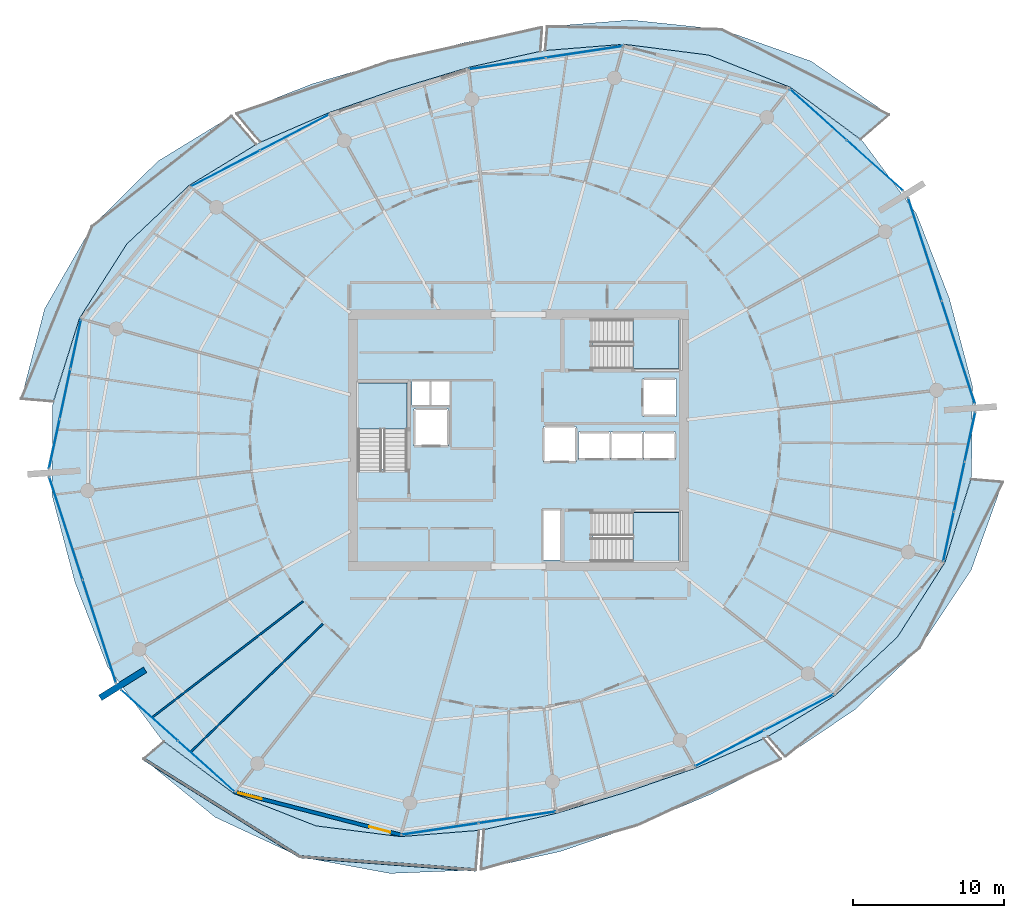
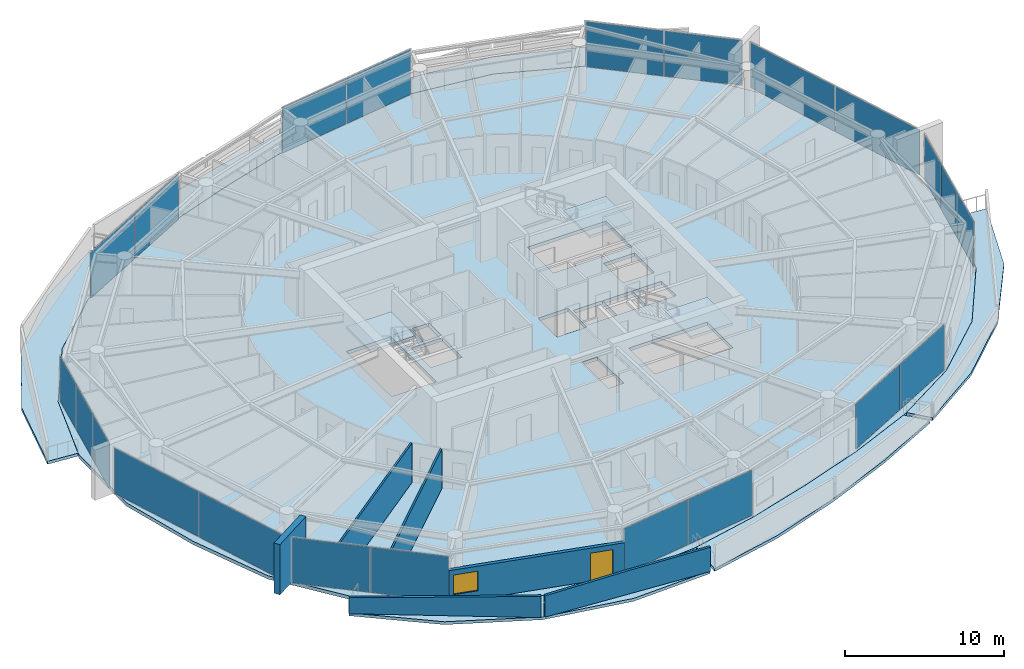
# One storey, part 17 of 30: 22 plates, 10 slabs, 6 walls, 1 door, 1 window, 2 openings, 13 elements without a shape of their own.
"""IFC4 building model written with IfcOpenShell, lengths in metres."""

from ifc_helpers import new_model, si_unit, direction, frame, frame_2d, origin, origin_2d, place, context, subcontext, project, spatial, polyline, rectangle, outline, extrude, material, layer, layer_set, type_object, element, fill, aggregate, save


model = new_model("IFC4")

# Units and contexts
model_context = context("Model", 3, precision=1e-05, world=origin(), true_north=direction((0.0, 1.0)))
body_context = subcontext(model_context, "Body", "Model", "MODEL_VIEW")
ifc_project = project(units=[si_unit("LENGTHUNIT", "METRE"), si_unit("AREAUNIT", "SQUARE_METRE"), si_unit("VOLUMEUNIT", "CUBIC_METRE"), si_unit("PLANEANGLEUNIT", "RADIAN"), si_unit("MASSUNIT", "GRAM", prefix="KILO")], contexts=[model_context])

# Site, building, storey
site_placement = place(None, origin())
site = spatial("IfcSite", under=ifc_project, at=site_placement, CompositionType="ELEMENT")
building_placement = place(site_placement, origin())
building = spatial("IfcBuilding", under=site, at=building_placement, Name="Kazma Halo Residences", CompositionType="ELEMENT")
storey_placement = place(building_placement, frame((0.0, 0.0, 267.5)))
storey = spatial("IfcBuildingStorey", under=building, at=storey_placement, Name="L67", CompositionType="ELEMENT", Elevation=267.5)

# Curtain wall, plates
ifc_material_1 = material(Name="Aluminium AW-6063 T6 and Triple-Silver Low-E Glass", Category="aluminium")
ifc_layer_1 = layer(ifc_material_1, 0.139892578125)
ifc_layer_set_1 = layer_set([ifc_layer_1], Name="Aluminium AW-6063 T6 and Triple-Silver Low-E Glass")
curtain_wall_type = type_object("IfcCurtainWallType", Name="CW-SYS-5", PredefinedType="NOTDEFINED", material=ifc_layer_set_1)
curtain_wall_1_placement = place(storey_placement, origin())
curtain_wall_1 = element("IfcCurtainWall", 1, at=curtain_wall_1_placement, inside=storey, type_object=curtain_wall_type, Name="L67 unitised curtain wall B01", PredefinedType="NOTDEFINED")
ifc_material_2 = material(Name="Clear Triple-Silver Low-E Glass IGU", Category="glass")
ifc_layer_2 = layer(ifc_material_2, 0.02587890625)
ifc_layer_set_2 = layer_set([ifc_layer_2], Name="Clear Triple-Silver Low-E Glass IGU")
plate_type = type_object("IfcPlateType", Name="CW-SYS-5-PNL", PredefinedType="CURTAIN_PANEL", material=ifc_layer_set_2)
plate_1_placement = place(storey_placement, frame((72.002685546875, 60.179443359375, 0.06005859375), z_axis=(0.0, 0.0, 1.0), x_axis=(-0.744336424671, 0.667804826958, 0.0)))
plate_1 = element("IfcPlate", 2, at=plate_1_placement, type_object=plate_type, Name="CWS-5 panel 1.1", PredefinedType="CURTAIN_PANEL", context=body_context, shape_type="SweptSolid", body=[
    extrude(rectangle(XDim=4.993408203125, YDim=0.02587890625, at=origin_2d()), origin(), (0.0, 0.0, 1.0), 3.469970703125),
])
plate_2_placement = place(storey_placement, frame((68.2412109375, 63.55419921875, 0.06005859375), z_axis=(0.0, 0.0, 1.0), x_axis=(-0.744336424671, 0.667804826958, 0.0)))
plate_2 = element("IfcPlate", 3, at=plate_2_placement, type_object=plate_type, Name="CWS-5 panel 2.1", PredefinedType="CURTAIN_PANEL", context=body_context, shape_type="SweptSolid", body=[
    extrude(rectangle(XDim=4.993408203125, YDim=0.02587890625, at=origin_2d()), origin(), (0.0, 0.0, 1.0), 3.469970703125),
])
aggregate(curtain_wall_1, [plate_1, plate_2])

curtain_wall_2_placement = place(storey_placement, origin())
curtain_wall_2 = element("IfcCurtainWall", 4, at=curtain_wall_2_placement, inside=storey, type_object=curtain_wall_type, Name="L67 unitised curtain wall B03", PredefinedType="NOTDEFINED")
plate_3_placement = place(storey_placement, frame((52.77783203125, 67.70361328125, 0.06005859375), z_axis=(0.0, 0.0, 1.0), x_axis=(-0.988882792998, -0.148697080374, 0.0)))
plate_3 = element("IfcPlate", 5, at=plate_3_placement, type_object=plate_type, Name="CWS-5 panel 1.1", PredefinedType="CURTAIN_PANEL", context=body_context, shape_type="SweptSolid", body=[
    extrude(rectangle(XDim=5.099853515625, YDim=0.02587890625, at=origin_2d()), origin(), (0.0, 0.0, 1.0), 3.469970703125),
])
plate_4_placement = place(storey_placement, frame((47.67529296875, 66.936279296875, 0.06005859375), z_axis=(0.0, 0.0, 1.0), x_axis=(-0.988882792998, -0.148697080374, 0.0)))
plate_4 = element("IfcPlate", 6, at=plate_4_placement, type_object=plate_type, Name="CWS-5 panel 2.1", PredefinedType="CURTAIN_PANEL", context=body_context, shape_type="SweptSolid", body=[
    extrude(rectangle(XDim=5.099853515625, YDim=0.02587890625, at=origin_2d()), origin(), (0.0, 0.0, 1.0), 3.469970703125),
])
aggregate(curtain_wall_2, [plate_3, plate_4])

curtain_wall_3_placement = place(storey_placement, origin())
curtain_wall_3 = element("IfcCurtainWall", 7, at=curtain_wall_3_placement, inside=storey, type_object=curtain_wall_type, Name="L67 unitised curtain wall B05", PredefinedType="NOTDEFINED")
plate_5_placement = place(storey_placement, frame((33.60546875, 62.36474609375, 0.06005859375), z_axis=(0.0, 0.0, 1.0), x_axis=(-0.887420518694, -0.460960760804, 0.0)))
plate_5 = element("IfcPlate", 8, at=plate_5_placement, type_object=plate_type, Name="CWS-5 panel 1.1", PredefinedType="CURTAIN_PANEL", context=body_context, shape_type="SweptSolid", body=[
    extrude(rectangle(XDim=5.099609375, YDim=0.02587890625, at=origin_2d()), origin(), (0.0, 0.0, 1.0), 3.469970703125),
])
plate_6_placement = place(storey_placement, frame((29.026611328125, 59.986328125, 0.06005859375), z_axis=(0.0, 0.0, 1.0), x_axis=(-0.887420518694, -0.460960760804, 0.0)))
plate_6 = element("IfcPlate", 9, at=plate_6_placement, type_object=plate_type, Name="CWS-5 panel 2.1", PredefinedType="CURTAIN_PANEL", context=body_context, shape_type="SweptSolid", body=[
    extrude(rectangle(XDim=5.099609375, YDim=0.02587890625, at=origin_2d()), origin(), (0.0, 0.0, 1.0), 3.469970703125),
])
aggregate(curtain_wall_3, [plate_5, plate_6])

curtain_wall_4_placement = place(storey_placement, origin())
curtain_wall_4 = element("IfcCurtainWall", 10, at=curtain_wall_4_placement, inside=storey, type_object=curtain_wall_type, Name="L67 unitised curtain wall B07", PredefinedType="NOTDEFINED")
plate_7_placement = place(storey_placement, frame((19.133056640625, 48.36865234375, 0.06005859375), z_axis=(0.0, 0.0, 1.0), x_axis=(-0.209657382603, -0.97777491373, 0.0)))
plate_7 = element("IfcPlate", 11, at=plate_7_placement, type_object=plate_type, Name="CWS-5 panel 1.1", PredefinedType="CURTAIN_PANEL", context=body_context, shape_type="SweptSolid", body=[
    extrude(rectangle(XDim=3.299072265625, YDim=0.02587890625, at=origin_2d()), origin(), (0.0, 0.0, 1.0), 3.469970703125),
])
plate_8_placement = place(storey_placement, frame((18.42578125, 45.069580078125, 0.06005859375), z_axis=(0.0, 0.0, 1.0), x_axis=(-0.209657382603, -0.97777491373, 0.0)))
plate_8 = element("IfcPlate", 12, at=plate_8_placement, type_object=plate_type, Name="CWS-5 panel 2.1", PredefinedType="CURTAIN_PANEL", context=body_context, shape_type="SweptSolid", body=[
    extrude(rectangle(XDim=3.3291015625, YDim=0.02587890625, at=origin_2d()), origin(), (0.0, 0.0, 1.0), 3.469970703125),
])
plate_9_placement = place(storey_placement, frame((17.71826171875, 41.7705078125, 0.06005859375), z_axis=(0.0, 0.0, 1.0), x_axis=(-0.209657382603, -0.97777491373, 0.0)))
plate_9 = element("IfcPlate", 13, at=plate_9_placement, type_object=plate_type, Name="CWS-5 panel 3.1", PredefinedType="CURTAIN_PANEL", context=body_context, shape_type="SweptSolid", body=[
    extrude(rectangle(XDim=3.299072265625, YDim=0.02587890625, at=origin_2d()), origin(), (0.0, 0.0, 1.0), 3.469970703125),
])
aggregate(curtain_wall_4, [plate_7, plate_8, plate_9])

curtain_wall_5_placement = place(storey_placement, origin())
curtain_wall_5 = element("IfcCurtainWall", 14, at=curtain_wall_5_placement, inside=storey, type_object=curtain_wall_type, Name="L67 unitised curtain wall B08", PredefinedType="NOTDEFINED")
plate_10_placement = place(storey_placement, frame((18.48486328125, 36.1787109375, 0.06005859375), z_axis=(0.0, 0.0, 1.0), x_axis=(0.309010998786, -0.951058464359, 0.0)))
plate_10 = element("IfcPlate", 15, at=plate_10_placement, type_object=plate_type, Name="CWS-5 panel 1.1", PredefinedType="CURTAIN_PANEL", context=body_context, shape_type="SweptSolid", body=[
    extrude(rectangle(XDim=7.108642578125, YDim=0.02587890625, at=origin_2d()), origin(), (0.0, 0.0, 1.0), 3.469970703125),
])
plate_11_placement = place(storey_placement, frame((20.699951171875, 29.36083984375, 0.06005859375), z_axis=(0.0, 0.0, 1.0), x_axis=(0.309010998786, -0.951058464359, 0.0)))
plate_11 = element("IfcPlate", 16, at=plate_11_placement, type_object=plate_type, Name="CWS-5 panel 2.1", PredefinedType="CURTAIN_PANEL", context=body_context, shape_type="SweptSolid", body=[
    extrude(rectangle(XDim=7.108642578125, YDim=0.02587890625, at=origin_2d()), origin(), (0.0, 0.0, 1.0), 3.469970703125),
])
aggregate(curtain_wall_5, [plate_10, plate_11])

curtain_wall_6_placement = place(storey_placement, origin())
curtain_wall_6 = element("IfcCurtainWall", 17, at=curtain_wall_6_placement, inside=storey, type_object=curtain_wall_type, Name="L67 unitised curtain wall B09", PredefinedType="NOTDEFINED")
plate_12_placement = place(storey_placement, frame((23.997314453125, 23.820556640625, 0.06005859375), z_axis=(0.0, 0.0, 1.0), x_axis=(0.744336424671, -0.667804826958, 0.0)))
plate_12 = element("IfcPlate", 18, at=plate_12_placement, type_object=plate_type, Name="CWS-5 panel 1.1", PredefinedType="CURTAIN_PANEL", context=body_context, shape_type="SweptSolid", body=[
    extrude(rectangle(XDim=4.993408203125, YDim=0.02587890625, at=origin_2d()), origin(), (0.0, 0.0, 1.0), 3.469970703125),
])
plate_13_placement = place(storey_placement, frame((27.7587890625, 20.44580078125, 0.06005859375), z_axis=(0.0, 0.0, 1.0), x_axis=(0.744336424671, -0.667804826958, 0.0)))
plate_13 = element("IfcPlate", 19, at=plate_13_placement, type_object=plate_type, Name="CWS-5 panel 2.1", PredefinedType="CURTAIN_PANEL", context=body_context, shape_type="SweptSolid", body=[
    extrude(rectangle(XDim=4.993408203125, YDim=0.02587890625, at=origin_2d()), origin(), (0.0, 0.0, 1.0), 3.469970703125),
])
aggregate(curtain_wall_6, [plate_12, plate_13])

curtain_wall_7_placement = place(storey_placement, origin())
curtain_wall_7 = element("IfcCurtainWall", 20, at=curtain_wall_7_placement, inside=storey, type_object=curtain_wall_type, Name="L67 unitised curtain wall B11", PredefinedType="NOTDEFINED")
plate_14_placement = place(storey_placement, frame((43.22216796875, 16.29638671875, 0.06005859375), z_axis=(0.0, 0.0, 1.0), x_axis=(0.988882792998, 0.148697080374, 0.0)))
plate_14 = element("IfcPlate", 21, at=plate_14_placement, type_object=plate_type, Name="CWS-5 panel 1.1", PredefinedType="CURTAIN_PANEL", context=body_context, shape_type="SweptSolid", body=[
    extrude(rectangle(XDim=5.099853515625, YDim=0.02587890625, at=origin_2d()), origin(), (0.0, 0.0, 1.0), 3.469970703125),
])
plate_15_placement = place(storey_placement, frame((48.32470703125, 17.063720703125, 0.06005859375), z_axis=(0.0, 0.0, 1.0), x_axis=(0.988882792998, 0.148697080374, 0.0)))
plate_15 = element("IfcPlate", 22, at=plate_15_placement, type_object=plate_type, Name="CWS-5 panel 2.1", PredefinedType="CURTAIN_PANEL", context=body_context, shape_type="SweptSolid", body=[
    extrude(rectangle(XDim=5.099853515625, YDim=0.02587890625, at=origin_2d()), origin(), (0.0, 0.0, 1.0), 3.469970703125),
])
aggregate(curtain_wall_7, [plate_14, plate_15])

curtain_wall_8_placement = place(storey_placement, origin())
curtain_wall_8 = element("IfcCurtainWall", 23, at=curtain_wall_8_placement, inside=storey, type_object=curtain_wall_type, Name="L67 unitised curtain wall B13", PredefinedType="NOTDEFINED")
plate_16_placement = place(storey_placement, frame((62.39453125, 21.63525390625, 0.06005859375), z_axis=(0.0, 0.0, 1.0), x_axis=(0.887420518694, 0.460960760804, 0.0)))
plate_16 = element("IfcPlate", 24, at=plate_16_placement, type_object=plate_type, Name="CWS-5 panel 1.1", PredefinedType="CURTAIN_PANEL", context=body_context, shape_type="SweptSolid", body=[
    extrude(rectangle(XDim=5.099609375, YDim=0.02587890625, at=origin_2d()), origin(), (0.0, 0.0, 1.0), 3.469970703125),
])
plate_17_placement = place(storey_placement, frame((66.973388671875, 24.013671875, 0.06005859375), z_axis=(0.0, 0.0, 1.0), x_axis=(0.887420518694, 0.460960760804, 0.0)))
plate_17 = element("IfcPlate", 25, at=plate_17_placement, type_object=plate_type, Name="CWS-5 panel 2.1", PredefinedType="CURTAIN_PANEL", context=body_context, shape_type="SweptSolid", body=[
    extrude(rectangle(XDim=5.099609375, YDim=0.02587890625, at=origin_2d()), origin(), (0.0, 0.0, 1.0), 3.469970703125),
])
aggregate(curtain_wall_8, [plate_16, plate_17])

curtain_wall_9_placement = place(storey_placement, origin())
curtain_wall_9 = element("IfcCurtainWall", 26, at=curtain_wall_9_placement, inside=storey, type_object=curtain_wall_type, Name="L67 unitised curtain wall B15", PredefinedType="NOTDEFINED")
plate_18_placement = place(storey_placement, frame((76.866943359375, 35.63134765625, 0.06005859375), z_axis=(0.0, 0.0, 1.0), x_axis=(0.209657382603, 0.97777491373, 0.0)))
plate_18 = element("IfcPlate", 27, at=plate_18_placement, type_object=plate_type, Name="CWS-5 panel 1.1", PredefinedType="CURTAIN_PANEL", context=body_context, shape_type="SweptSolid", body=[
    extrude(rectangle(XDim=3.299072265625, YDim=0.02587890625, at=origin_2d()), origin(), (0.0, 0.0, 1.0), 3.469970703125),
])
plate_19_placement = place(storey_placement, frame((77.57421875, 38.930419921875, 0.06005859375), z_axis=(0.0, 0.0, 1.0), x_axis=(0.209657382603, 0.97777491373, 0.0)))
plate_19 = element("IfcPlate", 28, at=plate_19_placement, type_object=plate_type, Name="CWS-5 panel 2.1", PredefinedType="CURTAIN_PANEL", context=body_context, shape_type="SweptSolid", body=[
    extrude(rectangle(XDim=3.3291015625, YDim=0.02587890625, at=origin_2d()), origin(), (0.0, 0.0, 1.0), 3.469970703125),
])
plate_20_placement = place(storey_placement, frame((78.28173828125, 42.2294921875, 0.06005859375), z_axis=(0.0, 0.0, 1.0), x_axis=(0.209657382603, 0.97777491373, 0.0)))
plate_20 = element("IfcPlate", 29, at=plate_20_placement, type_object=plate_type, Name="CWS-5 panel 3.1", PredefinedType="CURTAIN_PANEL", context=body_context, shape_type="SweptSolid", body=[
    extrude(rectangle(XDim=3.299072265625, YDim=0.02587890625, at=origin_2d()), origin(), (0.0, 0.0, 1.0), 3.469970703125),
])
aggregate(curtain_wall_9, [plate_18, plate_19, plate_20])

curtain_wall_10_placement = place(storey_placement, origin())
curtain_wall_10 = element("IfcCurtainWall", 30, at=curtain_wall_10_placement, inside=storey, type_object=curtain_wall_type, Name="L67 unitised curtain wall B16", PredefinedType="NOTDEFINED")
plate_21_placement = place(storey_placement, frame((77.51513671875, 47.8212890625, 0.06005859375), z_axis=(0.0, 0.0, 1.0), x_axis=(-0.309010998786, 0.951058464359, 0.0)))
plate_21 = element("IfcPlate", 31, at=plate_21_placement, type_object=plate_type, Name="CWS-5 panel 1.1", PredefinedType="CURTAIN_PANEL", context=body_context, shape_type="SweptSolid", body=[
    extrude(rectangle(XDim=7.108642578125, YDim=0.02587890625, at=origin_2d()), origin(), (0.0, 0.0, 1.0), 3.469970703125),
])
plate_22_placement = place(storey_placement, frame((75.300048828125, 54.63916015625, 0.06005859375), z_axis=(0.0, 0.0, 1.0), x_axis=(-0.309010998786, 0.951058464359, 0.0)))
plate_22 = element("IfcPlate", 32, at=plate_22_placement, type_object=plate_type, Name="CWS-5 panel 2.1", PredefinedType="CURTAIN_PANEL", context=body_context, shape_type="SweptSolid", body=[
    extrude(rectangle(XDim=7.108642578125, YDim=0.02587890625, at=origin_2d()), origin(), (0.0, 0.0, 1.0), 3.469970703125),
])
aggregate(curtain_wall_10, [plate_21, plate_22])

# Slabs
ifc_material_3 = material(Name="White Concrete C50/60", Category="concrete")
ifc_layer_3 = layer(ifc_material_3, 0.219970703125)
ifc_layer_set_3 = layer_set([ifc_layer_3], Name="White Concrete C50/60")
slab_type_1 = type_object("IfcSlabType", Name="SLB-BAL-WAVE-210", PredefinedType="FLOOR", material=ifc_layer_set_3)
slab_1_placement = place(storey_placement, frame((0.0, 0.0, -0.219970703125)))
element("IfcSlab", 33, at=slab_1_placement, inside=storey, type_object=slab_type_1, Name="L67 NE cantilevered wave balcony slab", PredefinedType="FLOOR", context=body_context, shape_type="SweptSolid", body=[
    extrude(outline(polyline([(71.0400390625, 61.9228515625), (66.41357421875, 65.357421875), (60.990478515625, 67.49560546875), (55.3916015625, 68.208984375), (50.188720703125, 67.794189453125), (50.322998046875, 69.37890625), (55.84375, 69.812255859375), (61.852783203125, 69.1875), (67.775146484375, 67.084716796875), (72.91748046875, 63.546142578125), (71.0400390625, 61.9228515625)])), origin(), (0.0, 0.0, 1.0), 0.219970703125),
])
slab_2_placement = place(storey_placement, frame((0.0, 0.0, -0.219970703125)))
element("IfcSlab", 34, at=slab_2_placement, inside=storey, type_object=slab_type_1, Name="L67 NNW cantilevered wave balcony slab", PredefinedType="FLOOR", context=body_context, shape_type="SweptSolid", body=[
    extrude(outline(polyline([(49.8681640625, 67.74609375), (45.080078125, 66.66943359375), (40.43994140625, 65.267333984375), (35.86181640625, 63.67431640625), (31.35546875, 61.731201171875), (29.76513671875, 63.6162109375), (34.787109375, 65.59326171875), (39.853271484375, 67.073486328125), (44.884521484375, 68.323486328125), (49.98291015625, 69.327392578125), (49.8681640625, 67.74609375)])), origin(), (0.0, 0.0, 1.0), 0.219970703125),
])
slab_3_placement = place(storey_placement, frame((0.0, 0.0, -0.219970703125)))
element("IfcSlab", 35, at=slab_3_placement, inside=storey, type_object=slab_type_1, Name="L67 NW cantilevered wave balcony slab", PredefinedType="FLOOR", context=body_context, shape_type="SweptSolid", body=[
    extrude(outline(polyline([(31.06787109375, 61.58154296875), (26.614501953125, 58.85888671875), (22.50439453125, 54.990478515625), (19.3740234375, 50.0732421875), (17.64990234375, 44.5751953125), (15.527099609375, 44.75537109375), (17.076904296875, 50.72119140625), (20.20703125, 56.1611328125), (24.56640625, 60.473388671875), (29.44287109375, 63.4609375), (31.06787109375, 61.58154296875)])), origin(), (0.0, 0.0, 1.0), 0.219970703125),
])
slab_4_placement = place(storey_placement, frame((0.0, 0.0, -0.219970703125)))
element("IfcSlab", 36, at=slab_4_placement, inside=storey, type_object=slab_type_1, Name="L67 SW cantilevered wave balcony slab", PredefinedType="FLOOR", context=body_context, shape_type="SweptSolid", body=[
    extrude(outline(polyline([(24.9599609375, 22.0771484375), (29.58642578125, 18.642578125), (35.009521484375, 16.50439453125), (40.6083984375, 15.791015625), (45.811279296875, 16.205810546875), (45.589111328125, 13.585205078125), (39.92138671875, 13.355712890625), (33.966552734375, 14.4580078125), (28.3505859375, 17.07470703125), (23.628662109375, 20.926025390625), (24.9599609375, 22.0771484375)])), origin(), (0.0, 0.0, 1.0), 0.219970703125),
])
slab_5_placement = place(storey_placement, frame((0.0, 0.0, -0.219970703125)))
element("IfcSlab", 37, at=slab_5_placement, inside=storey, type_object=slab_type_1, Name="L67 SSE cantilevered wave balcony slab", PredefinedType="FLOOR", context=body_context, shape_type="SweptSolid", body=[
    extrude(outline(polyline([(46.1318359375, 16.25390625), (50.919921875, 17.33056640625), (55.56005859375, 18.732666015625), (60.13818359375, 20.32568359375), (64.64453125, 22.268798828125), (65.769287109375, 20.935546875), (61.11376953125, 18.583740234375), (56.269775390625, 16.548095703125), (51.21728515625, 14.817626953125), (45.94189453125, 13.635498046875), (46.1318359375, 16.25390625)])), origin(), (0.0, 0.0, 1.0), 0.219970703125),
])
slab_6_placement = place(storey_placement, frame((0.0, 0.0, -0.219970703125)))
element("IfcSlab", 38, at=slab_6_placement, inside=storey, type_object=slab_type_1, Name="L67 SE cantilevered wave balcony slab", PredefinedType="FLOOR", context=body_context, shape_type="SweptSolid", body=[
    extrude(outline(polyline([(64.93212890625, 22.41845703125), (69.385498046875, 25.14111328125), (73.49560546875, 29.009521484375), (76.6259765625, 33.9267578125), (78.35009765625, 39.4248046875), (80.4541015625, 39.24609375), (78.3671875, 33.435546875), (74.936767578125, 28.27490234375), (70.63232421875, 24.157958984375), (66.0673828125, 21.10546875), (64.93212890625, 22.41845703125)])), origin(), (0.0, 0.0, 1.0), 0.219970703125),
])
ifc_material_4 = material(Name="Concrete C50/60", Category="concrete")
ifc_layer_4 = layer(ifc_material_4, 0.260009765625)
ifc_layer_set_4 = layer_set([ifc_layer_4], Name="Concrete C50/60")
slab_type_2 = type_object("IfcSlabType", Name="SLB-RES-260", PredefinedType="FLOOR", material=ifc_layer_set_4)
slab_7_placement = place(storey_placement, frame((0.0, 0.0, -0.260009765625)))
element("IfcSlab", 39, at=slab_7_placement, inside=storey, type_object=slab_type_2, Name="L67 structural floor slab", PredefinedType="FLOOR", context=body_context, shape_type="SweptSolid", body=[
    extrude(outline(polyline([(76.9189453125, 51.396240234375), (74.749755859375, 56.980712890625), (71.180419921875, 61.7978515625), (66.412109375, 65.355712890625), (60.98974609375, 67.49365234375), (55.39111328125, 68.207275390625), (50.02880859375, 67.7783203125), (45.080322265625, 66.66748046875), (40.440673828125, 65.265380859375), (35.86279296875, 63.672607421875), (31.20654296875, 61.66259765625), (26.6162109375, 58.857666015625), (22.50634765625, 54.98974609375), (19.3759765625, 50.07275390625), (17.60986328125, 44.391845703125), (17.5537109375, 38.396484375), (19.0810546875, 32.603759765625), (21.250244140625, 27.019287109375), (24.819580078125, 22.2021484375), (29.587890625, 18.644287109375), (35.01025390625, 16.50634765625), (40.60888671875, 15.792724609375), (45.97119140625, 16.2216796875), (50.919677734375, 17.33251953125), (55.559326171875, 18.734619140625), (60.13720703125, 20.327392578125), (64.79345703125, 22.33740234375), (69.3837890625, 25.142333984375), (73.49365234375, 29.01025390625), (76.6240234375, 33.92724609375), (78.39013671875, 39.608154296875), (78.4462890625, 45.603515625), (76.9189453125, 51.396240234375)]), holes=[polyline([(37.800048828125, 40.110107421875), (41.050048828125, 40.110107421875), (41.050048828125, 45.800048828125), (37.800048828125, 45.800048828125), (37.800048828125, 40.110107421875)]), polyline([(53.360107421875, 46.75), (59.050048828125, 46.75), (59.050048828125, 50.0), (53.360107421875, 50.0), (53.360107421875, 46.75)]), polyline([(53.360107421875, 34.0), (59.050048828125, 34.0), (59.050048828125, 37.25), (53.360107421875, 37.25), (53.360107421875, 34.0)]), polyline([(41.52001953125, 41.6201171875), (43.780029296875, 41.6201171875), (43.780029296875, 44.080078125), (41.52001953125, 44.080078125), (41.52001953125, 41.6201171875)]), polyline([(56.6201171875, 43.6201171875), (58.8798828125, 43.6201171875), (58.8798828125, 46.080078125), (56.6201171875, 46.080078125), (56.6201171875, 43.6201171875)]), polyline([(52.39501953125, 40.7451171875), (54.5048828125, 40.7451171875), (54.5048828125, 42.554931640625), (52.39501953125, 42.554931640625), (52.39501953125, 40.7451171875)]), polyline([(54.544921875, 40.7451171875), (56.655029296875, 40.7451171875), (56.655029296875, 42.554931640625), (54.544921875, 42.554931640625), (54.544921875, 40.7451171875)]), polyline([(56.695068359375, 40.7451171875), (58.804931640625, 40.7451171875), (58.804931640625, 42.554931640625), (56.695068359375, 42.554931640625), (56.695068359375, 40.7451171875)]), polyline([(50.070068359375, 40.570068359375), (52.22998046875, 40.570068359375), (52.22998046875, 42.929931640625), (50.070068359375, 42.929931640625), (50.070068359375, 40.570068359375)]), polyline([(41.360107421875, 44.340087890625), (42.5400390625, 44.340087890625), (42.5400390625, 45.89990234375), (41.360107421875, 45.89990234375), (41.360107421875, 44.340087890625)]), polyline([(42.659912109375, 44.340087890625), (43.840087890625, 44.340087890625), (43.840087890625, 45.89990234375), (42.659912109375, 45.89990234375), (42.659912109375, 44.340087890625)]), polyline([(50.06005859375, 34.080078125), (51.159912109375, 34.080078125), (51.159912109375, 37.3798828125), (50.06005859375, 37.3798828125), (50.06005859375, 34.080078125)])]), origin(), (0.0, 0.0, 1.0), 0.260009765625),
])

# Stair, slab
stair_type = type_object("IfcStairType", Name="STR-RES2", PredefinedType="HALF_TURN_STAIR", material=ifc_material_4)
stair_1_placement = place(storey_placement, origin())
stair_1 = element("IfcStair", 40, at=stair_1_placement, inside=storey, type_object=stair_type, Name="L67 Core exit stair ST-01", PredefinedType="HALF_TURN_STAIR")
ifc_layer_5 = layer(ifc_material_4, 0.199951171875)
ifc_layer_set_5 = layer_set([ifc_layer_5], Name="Concrete C50/60")
slab_type_3 = type_object("IfcSlabType", Name="SLB-STAIR-LND-200", PredefinedType="LANDING", material=ifc_layer_set_5)
slab_8_placement = place(storey_placement, frame((0.0, 0.0, 1.72509765625)))
slab_8 = element("IfcSlab", 41, at=slab_8_placement, type_object=slab_type_3, Name="ST-01 landing 1", PredefinedType="LANDING", context=body_context, shape_type="SweptSolid", body=[
    extrude(outline(polyline([(41.050048828125, 42.75), (41.050048828125, 45.800048828125), (37.800048828125, 45.800048828125), (37.800048828125, 42.75), (41.050048828125, 42.75)])), origin(), (0.0, 0.0, 1.0), 0.199951171875),
])
aggregate(stair_1, [slab_8])

stair_2_placement = place(storey_placement, origin())
stair_2 = element("IfcStair", 42, at=stair_2_placement, inside=storey, type_object=stair_type, Name="L67 Core exit stair ST-02", PredefinedType="HALF_TURN_STAIR")
slab_9_placement = place(storey_placement, frame((0.0, 0.0, 1.72509765625)))
slab_9 = element("IfcSlab", 43, at=slab_9_placement, type_object=slab_type_3, Name="ST-02 landing 1", PredefinedType="LANDING", context=body_context, shape_type="SweptSolid", body=[
    extrude(outline(polyline([(56.0, 46.75), (59.050048828125, 46.75), (59.050048828125, 50.0), (56.0, 50.0), (56.0, 46.75)])), origin(), (0.0, 0.0, 1.0), 0.199951171875),
])
aggregate(stair_2, [slab_9])

stair_3_placement = place(storey_placement, origin())
stair_3 = element("IfcStair", 44, at=stair_3_placement, inside=storey, type_object=stair_type, Name="L67 Core exit stair ST-03", PredefinedType="HALF_TURN_STAIR")
slab_10_placement = place(storey_placement, frame((0.0, 0.0, 1.72509765625)))
slab_10 = element("IfcSlab", 45, at=slab_10_placement, type_object=slab_type_3, Name="ST-03 landing 1", PredefinedType="LANDING", context=body_context, shape_type="SweptSolid", body=[
    extrude(outline(polyline([(56.0, 34.0), (59.050048828125, 34.0), (59.050048828125, 37.25), (56.0, 37.25), (56.0, 34.0)])), origin(), (0.0, 0.0, 1.0), 0.199951171875),
])
aggregate(stair_3, [slab_10])

# Walls
ifc_material_5 = material(Name="White Concrete C50/60 Balustrade", Category="concrete")
ifc_layer_6 = layer(ifc_material_5, 0.179931640625)
ifc_layer_set_6 = layer_set([ifc_layer_6], Name="White Concrete C50/60 Balustrade")
wall_type_1 = type_object("IfcWallType", Name="WL-BAL-WAVE-180", PredefinedType="PARAPET", material=ifc_layer_set_6)
wall_1_placement = place(storey_placement, frame((23.628662109375, 20.926025390625, 0.0), z_axis=(0.0, 0.0, 1.0), x_axis=(0.847743764475, -0.53040598582, 0.0)))
element("IfcWall", 46, at=wall_1_placement, inside=storey, type_object=wall_type_1, Name="L67 white wave balustrade wall SW.1", PredefinedType="PARAPET", context=body_context, shape_type="SweptSolid", body=[
    extrude(outline(polyline([(0.0, 0.0), (12.07470703125, 0.0), (12.07470703125, 1.632080078125), (6.037353515625, 1.41796875), (0.0, 1.23291015625), (0.0, 0.0)])), frame((0.0, 0.08984375, 0.0), z_axis=(0.0, -1.0, 0.0), x_axis=(1.0, 0.0, 0.0)), (0.0, 0.0, 1.0), 0.179931640625),
])
wall_2_placement = place(storey_placement, frame((34.086181640625, 14.448974609375, 0.0), z_axis=(0.0, 0.0, 1.0), x_axis=(0.997192518369, -0.074880446769, 0.0)))
element("IfcWall", 47, at=wall_2_placement, inside=storey, type_object=wall_type_1, Name="L67 white wave balustrade wall SW.2", PredefinedType="PARAPET", context=body_context, shape_type="SweptSolid", body=[
    extrude(outline(polyline([(0.0, 0.0), (11.535400390625, 0.0), (11.53515625, 1.860107421875), (5.767578125, 1.798095703125), (0.0, 1.632080078125), (0.0, 0.0)])), frame((0.0, 0.08984375, 0.0), z_axis=(0.0, -1.0, 0.0), x_axis=(1.0, 0.0, 0.0)), (0.0, 0.0, 1.0), 0.179931640625),
])
ifc_material_6 = material(Name="Pale Concrete C60/75", Category="concrete")
ifc_layer_7 = layer(ifc_material_6, 0.419921875)
ifc_layer_set_7 = layer_set([ifc_layer_7], Name="Pale Concrete C60/75")
wall_type_2 = type_object("IfcWallType", Name="WL-BLADE-420", PredefinedType="SOLIDWALL", material=ifc_layer_set_7)
wall_3_placement = place(storey_placement, frame((23.718505859375, 26.827392578125, 0.0), z_axis=(0.0, 0.0, 1.0), x_axis=(-0.848033572426, -0.529942506352, 0.0)))
element("IfcWall", 48, at=wall_3_placement, inside=storey, type_object=wall_type_2, Name="L67 pale concrete structural blade fin wall BW-03", PredefinedType="SOLIDWALL", context=body_context, shape_type="SweptSolid", body=[
    extrude(rectangle(XDim=3.5, YDim=0.419921875, at=frame_2d((1.75, 0.0))), origin(), (0.0, 0.0, 1.0), 3.85009765625),
])

# Wall, openings, door, window
ifc_material_7 = material(Name="Insulated Pale-Metal Composite Wall")
ifc_layer_8 = layer(ifc_material_7, 0.239990234375)
ifc_layer_set_8 = layer_set([ifc_layer_8], Name="Insulated Pale-Metal Composite Wall")
wall_type_3 = type_object("IfcWallType", Name="WL-EXT-HOST-240", PredefinedType="SOLIDWALL", material=ifc_layer_set_8)
wall_4_placement = place(storey_placement, frame((29.613525390625, 18.7509765625, 0.0), z_axis=(0.0, 0.0, 1.0), x_axis=(0.968343758421, -0.249620442927, 0.0)))
wall_4 = element("IfcWall", 49, at=wall_4_placement, inside=storey, type_object=wall_type_3, Name="L67 exterior terrace-access wall B10", PredefinedType="SOLIDWALL", context=body_context, shape_type="SweptSolid", body=[
    extrude(rectangle(XDim=11.438232421875, YDim=0.239990234375, at=frame_2d((5.71923828125, 0.0))), origin(), (0.0, 0.0, 1.0), 2.5400390625),
])
opening_1_placement = place(wall_4_placement, frame((9.21826171875, 0.0, 0.0)))
opening_1 = element("IfcOpeningElement", 50, at=opening_1_placement, cuts=wall_4, Name="Opening DTR-1600", PredefinedType="OPENING", context=body_context, shape_type="SweptSolid", body=[
    extrude(rectangle(XDim=1.449951171875, YDim=2.14990234375, at=frame_2d((0.72509765625, 1.074951171875))), frame((0.0, 0.1298828125, 0.0), z_axis=(0.0, -1.0, 0.0), x_axis=(1.0, 0.0, 0.0)), (0.0, 0.0, 1.0), 0.260009765625),
])
opening_2_placement = place(wall_4_placement, frame((0.280029296875, 0.0, 0.64990234375)))
opening_2 = element("IfcOpeningElement", 51, at=opening_2_placement, cuts=wall_4, Name="Opening W-1800", PredefinedType="OPENING", context=body_context, shape_type="SweptSolid", body=[
    extrude(rectangle(XDim=1.60009765625, YDim=1.5, at=frame_2d((0.800048828125, 0.75))), frame((0.0, 0.1298828125, 0.0), z_axis=(0.0, -1.0, 0.0), x_axis=(1.0, 0.0, 0.0)), (0.0, 0.0, 1.0), 0.260009765625),
])
ifc_material_8 = material(Name="Aluminium AW-6063 T6 Double-Glazed Terrace Door", Category="aluminium")
door_type = type_object("IfcDoorType", Name="DR-EXT-TERR-1600", OperationType="NOTDEFINED", PredefinedType="DOOR", material=ifc_material_8)
door_placement = place(opening_1_placement, origin())
door = element("IfcDoor", 52, at=door_placement, inside=storey, type_object=door_type, Name="L67 B10 balcony terrace door", OperationType="DOUBLE_DOOR_SLIDING", OverallHeight=2.14990234375, OverallWidth=1.449951171875, PredefinedType="DOOR", context=body_context, shape_type="SweptSolid", body=[
    extrude(rectangle(XDim=1.449951171875, YDim=2.14990234375, at=frame_2d((0.72509765625, 1.074951171875))), frame((0.0, 0.02490234375, 0.0), z_axis=(0.0, -1.0, 0.0), x_axis=(1.0, 0.0, 0.0)), (0.0, 0.0, 1.0), 0.050048828125),
])
fill(opening_1, door)
ifc_material_9 = material(Name="Clear Triple-Silver Low-E Glass in Aluminium AW-6063 T6 Frame", Category="aluminium")
window_type = type_object("IfcWindowType", Name="WIN-RES-1800", PartitioningType="DOUBLE_PANEL_VERTICAL", PredefinedType="WINDOW", material=ifc_material_9)
window_placement = place(opening_2_placement, origin())
window = element("IfcWindow", 53, at=window_placement, inside=storey, type_object=window_type, Name="L67 B10 apartment window", OverallHeight=1.5, OverallWidth=1.60009765625, PartitioningType="SINGLE_PANEL", PredefinedType="WINDOW", context=body_context, shape_type="SweptSolid", body=[
    extrude(rectangle(XDim=1.60009765625, YDim=1.5, at=frame_2d((0.800048828125, 0.75))), frame((0.0, 0.030029296875, 0.0), z_axis=(0.0, -1.0, 0.0), x_axis=(1.0, 0.0, 0.0)), (0.0, 0.0, 1.0), 0.06005859375),
])
fill(opening_2, window)

# Walls
ifc_material_10 = material(Name="Gypsum Plasterboard Partition")
ifc_layer_9 = layer(ifc_material_10, 0.125)
ifc_layer_set_9 = layer_set([ifc_layer_9], Name="Gypsum Plasterboard Partition")
wall_type_4 = type_object("IfcWallType", Name="WL-PART-125", PredefinedType="PARTITIONING", material=ifc_layer_set_9)
wall_5_placement = place(storey_placement, frame((34.166748046875, 31.3564453125, 0.0), z_axis=(0.0, 0.0, 1.0), x_axis=(-0.792566304603, -0.609785743362, 0.0)))
element("IfcWall", 54, at=wall_5_placement, inside=storey, type_object=wall_type_4, Name="L67 Apartment 1 bay wall 1 8", PredefinedType="PARTITIONING", context=body_context, shape_type="SweptSolid", body=[
    extrude(rectangle(XDim=12.587646484375, YDim=0.125, at=frame_2d((6.2939453125, 0.0))), origin(), (0.0, 0.0, 1.0), 3.030029296875),
])
wall_6_placement = place(storey_placement, frame((35.4658203125, 29.853515625, 0.0), z_axis=(0.0, 0.0, 1.0), x_axis=(-0.718127905621, -0.695911137408, 0.0)))
element("IfcWall", 55, at=wall_6_placement, inside=storey, type_object=wall_type_4, Name="L67 Apartment 1 bay wall 2 8", PredefinedType="PARTITIONING", context=body_context, shape_type="SweptSolid", body=[
    extrude(rectangle(XDim=12.15380859375, YDim=0.125, at=frame_2d((6.076904296875, 0.0))), origin(), (0.0, 0.0, 1.0), 3.030029296875),
])

save(model, "model.ifc")
